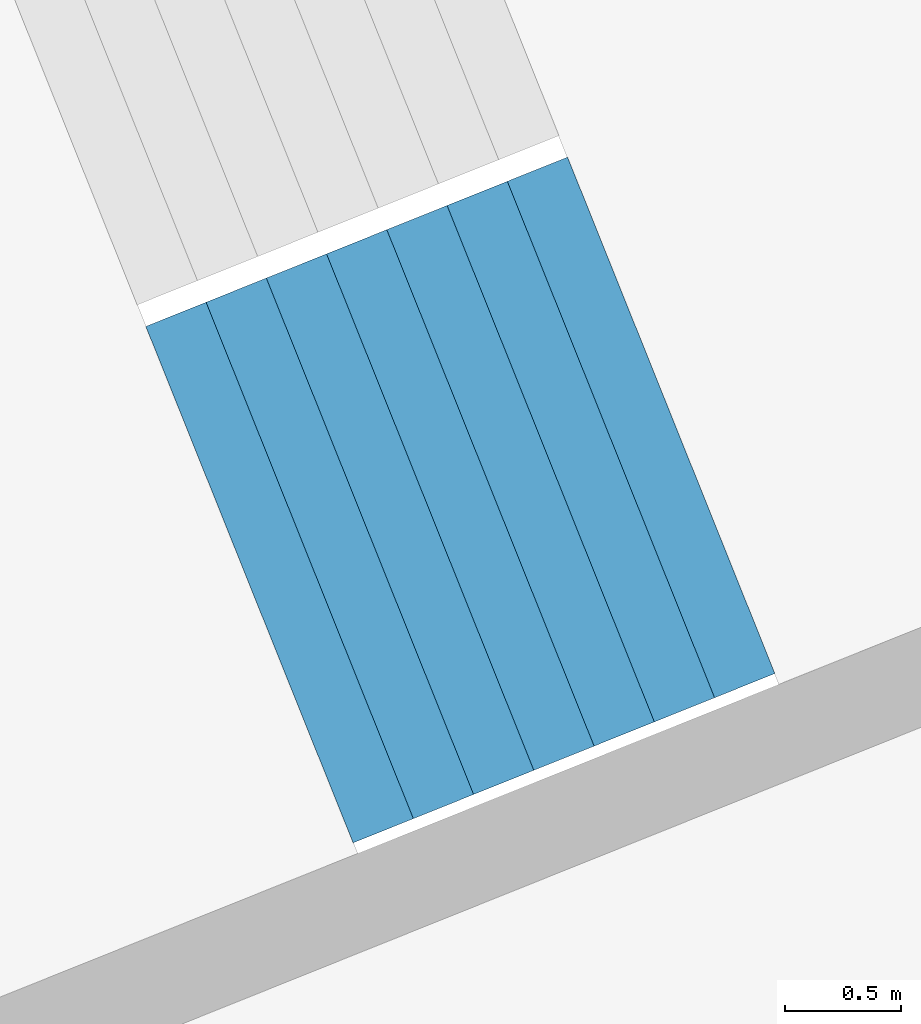
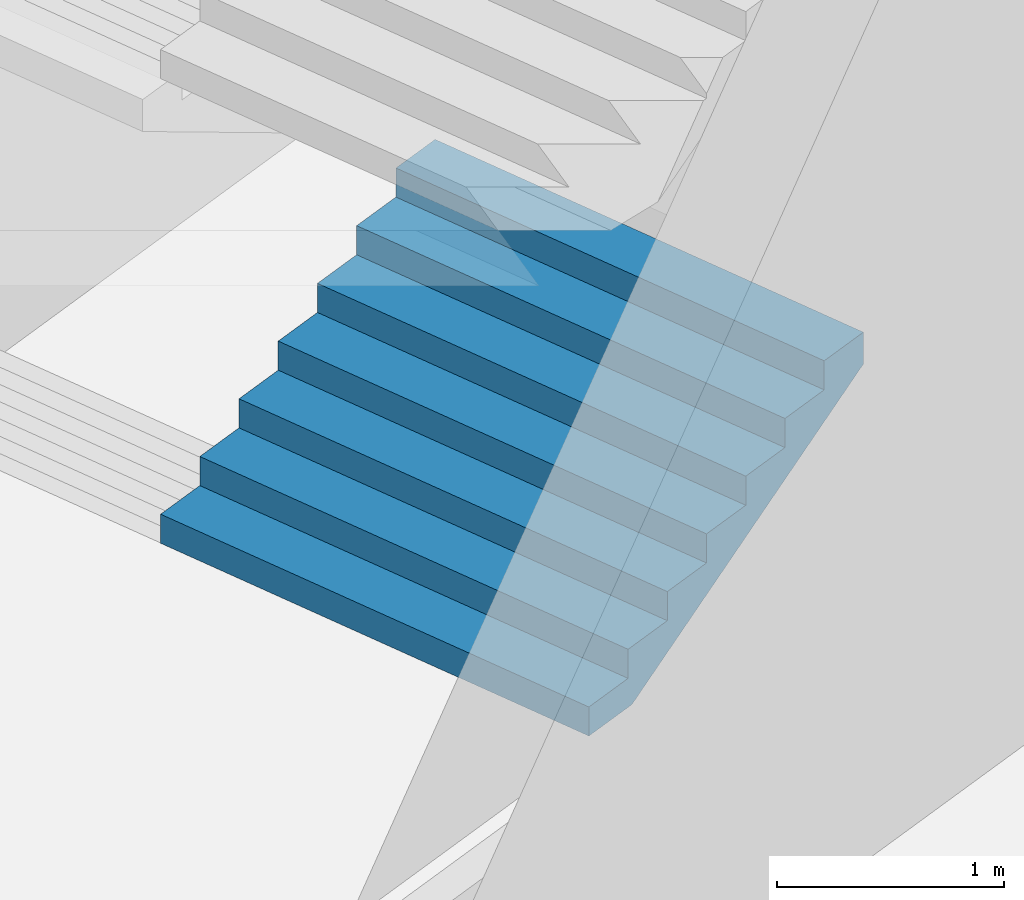
# One storey, part 19 of 73: 1 stair flight, 1 element without a shape of its own.
"""IFC4 building model written with IfcOpenShell, lengths in metres."""

import ifcopenshell
import ifcopenshell.guid

model = None  # the IFC model being written
_history = None  # IfcOwnerHistory: only IFC2X3 demands one
_inside = {}  # id of a spatial element -> (the spatial element, [elements in it])
_under = {}  # id of a project, library or spatial element -> (it, [spatial elements below it])
_declared = {}  # id of a project -> (the project, [libraries it declares])
_typed = {}  # id of a type object -> (the type object, [elements of that type])
_made_of = {}  # id of a material, layer set ... -> (it, [elements and type objects made of it])


def new_model(schema):
    """Start an empty IFC model of exactly this schema.

    Asked for "IFC4X3", IfcOpenShell would pick the latest addendum, in which some entities
    have other attributes; the version numbers below select the first issue.
    IFC2X3 requires an IfcOwnerHistory on every rooted entity: one is made here for all.
    """
    global model, _history
    if schema == "IFC4X3":
        model = ifcopenshell.file(schema_version=(4, 3, 0, 0))
    else:
        model = ifcopenshell.file(schema=schema)
    _inside.clear()
    _under.clear()
    _declared.clear()
    _typed.clear()
    _made_of.clear()
    _history = None
    if model.schema == "IFC2X3":
        org = make("IfcOrganization", Name="unknown")
        user = make(
            "IfcPersonAndOrganization",
            ThePerson=make("IfcPerson", FamilyName="unknown"),
            TheOrganization=org,
        )
        app = make(
            "IfcApplication",
            ApplicationDeveloper=org,
            Version="unknown",
            ApplicationFullName="unknown",
            ApplicationIdentifier="unknown",
        )
        _history = make(
            "IfcOwnerHistory",
            OwningUser=user,
            OwningApplication=app,
            ChangeAction="ADDED",
            CreationDate=0,
        )
    return model


def make(cls, **values):
    """One entity of the class cls with the attributes given. An attribute that is None is left unset."""
    return model.create_entity(
        cls, **{name: value for name, value in values.items() if value is not None}
    )


def rooted(cls, **values):
    """An entity with a GlobalId (a new one), such as an element, a storey or a relation."""
    return make(cls, GlobalId=ifcopenshell.guid.new(), OwnerHistory=_history, **values)


def si_unit(unit_type, name, prefix=None):
    """IfcSIUnit, for example si_unit("LENGTHUNIT", "METRE", prefix="MILLI")."""
    return make("IfcSIUnit", UnitType=unit_type, Prefix=prefix, Name=name)


def assignment(units):
    """IfcUnitAssignment: the units of a project."""
    return None if units is None else make("IfcUnitAssignment", Units=units)


def point(xyz):
    """IfcCartesianPoint."""
    return None if xyz is None else make("IfcCartesianPoint", Coordinates=xyz)


def direction(xyz):
    """IfcDirection."""
    return None if xyz is None else make("IfcDirection", DirectionRatios=xyz)


def frame(location, z_axis=None, x_axis=None):
    """IfcAxis2Placement3D, a coordinate frame: its origin and axes. An axis left out is left unset."""
    return make(
        "IfcAxis2Placement3D",
        Location=point(location),
        Axis=direction(z_axis),
        RefDirection=direction(x_axis),
    )


def origin():
    """The frame at (0, 0, 0) with its axes left unset."""
    return frame((0.0, 0.0, 0.0))


def place(relative_to, where):
    """IfcLocalPlacement: puts the frame where relative to a parent placement (None: the world)."""
    return make(
        "IfcLocalPlacement", PlacementRelTo=relative_to, RelativePlacement=where
    )


def context(
    kind, dimensions, precision=None, world=None, true_north=None, identifier=None
):
    """IfcGeometricRepresentationContext, for example the 3D "Model" context."""
    return make(
        "IfcGeometricRepresentationContext",
        ContextIdentifier=identifier,
        ContextType=kind,
        CoordinateSpaceDimension=dimensions,
        Precision=precision,
        WorldCoordinateSystem=world,
        TrueNorth=true_north,
    )


def subcontext(parent, identifier, kind, view, scale=None):
    """IfcGeometricRepresentationSubContext, for example "Body" below "Model"."""
    return make(
        "IfcGeometricRepresentationSubContext",
        ContextIdentifier=identifier,
        ContextType=kind,
        ParentContext=parent,
        TargetScale=scale,
        TargetView=view,
    )


def project(units=None, contexts=None):
    """IfcProject with its units and contexts."""
    return rooted(
        "IfcProject",
        Name="project",
        RepresentationContexts=contexts,
        UnitsInContext=assignment(units),
    )


def spatial(cls, under=None, at=None, **own):
    """A site, building, storey or space (cls), placed at a placement, below another one or the project."""
    s = rooted(cls, ObjectPlacement=at, **own)
    if under is not None:
        _under.setdefault(under.id(), (under, []))[1].append(s)
    return s


def point_list(points):
    """IfcCartesianPointList2D or 3D."""
    cls = (
        "IfcCartesianPointList2D" if len(points[0]) == 2 else "IfcCartesianPointList3D"
    )
    return make(cls, CoordList=points)


def triangles(points, corners, closed=None, point_numbers=None):
    """IfcTriangulatedFaceSet: each triangle names its three corners, points numbered from 1."""
    return make(
        "IfcTriangulatedFaceSet",
        Coordinates=point_list(points),
        Closed=closed,
        CoordIndex=corners,
        PnIndex=point_numbers,
    )


def shape(context_of_items, identifier, shape_type, items):
    """IfcShapeRepresentation: the items that make up one representation, for example the "Body"."""
    return make(
        "IfcShapeRepresentation",
        ContextOfItems=context_of_items,
        RepresentationIdentifier=identifier,
        RepresentationType=shape_type,
        Items=items,
    )


def material(Name=None, Category=None):
    """IfcMaterial."""
    return make("IfcMaterial", Name=Name, Category=Category)


def made_of(thing, what):
    """Note that an element or type object is made of a material, layer set ...; save() writes the relation."""
    if what is not None:
        _made_of.setdefault(what.id(), (what, []))[1].append(thing)
    return thing


def type_object(cls, material=None, **own):
    """A type object (cls), such as IfcWallType, which elements share."""
    return made_of(rooted(cls, **own), material)


def element(
    cls,
    number,
    at=None,
    inside=None,
    cuts=None,
    type_object=None,
    material=None,
    context=None,
    identifier="Body",
    shape_type=None,
    held_by="IfcProductDefinitionShape",
    body=None,
    shapes=None,
    **own,
):
    """One element of the class cls, such as IfcWall. Its Tag is "e" and its number.

    at: its placement. inside: the storey or other place that contains it. cuts: it is an
    opening in that element (IfcRelVoidsElement). A single representation is given by context,
    identifier, shape_type and body (its items); several are given by shapes. held_by: the class
    of the entity that holds the representations. save() writes the other relations.
    """
    e = rooted(cls, Tag="e%d" % number, ObjectPlacement=at, **own)
    if body is not None:
        shapes = [shape(context, identifier, shape_type, body)]
    if shapes is not None:
        e.Representation = make(held_by, Representations=shapes)
    if inside is not None:
        _inside.setdefault(inside.id(), (inside, []))[1].append(e)
    if cuts is not None:
        rooted(
            "IfcRelVoidsElement", RelatingBuildingElement=cuts, RelatedOpeningElement=e
        )
    if type_object is not None:
        _typed.setdefault(type_object.id(), (type_object, []))[1].append(e)
    return made_of(e, material)


def aggregate(whole, parts):
    """IfcRelAggregates: a whole, such as a stair, and the parts it consists of."""
    return rooted("IfcRelAggregates", RelatingObject=whole, RelatedObjects=parts)


def save(model, path):
    """Write the relations noted so far, then the file.

    IfcRelAggregates (storeys below a building ...), IfcRelContainedInSpatialStructure (elements
    in a storey), IfcRelDefinesByType, IfcRelAssociatesMaterial and IfcRelDeclares: one each for
    every whole, place, type object, material and project.
    """
    for whole, parts in _under.values():
        aggregate(whole, parts)
    for where, things in _inside.values():
        rooted(
            "IfcRelContainedInSpatialStructure",
            RelatedElements=things,
            RelatingStructure=where,
        )
    for kind, things in _typed.values():
        rooted("IfcRelDefinesByType", RelatedObjects=things, RelatingType=kind)
    for what, things in _made_of.values():
        rooted("IfcRelAssociatesMaterial", RelatedObjects=things, RelatingMaterial=what)
    for by, libraries in _declared.values():
        rooted("IfcRelDeclares", RelatingContext=by, RelatedDefinitions=libraries)
    model.write(path)


model = new_model("IFC4")

# Units and contexts
model_context = context("Model", 3, precision=1e-05, world=origin(), true_north=direction((0.0, 1.0)))
body_context = subcontext(model_context, "Body", "Model", "MODEL_VIEW")
ifc_project = project(units=[si_unit("LENGTHUNIT", "METRE"), si_unit("AREAUNIT", "SQUARE_METRE"), si_unit("VOLUMEUNIT", "CUBIC_METRE"), si_unit("PLANEANGLEUNIT", "RADIAN"), si_unit("MASSUNIT", "GRAM", prefix="KILO")], contexts=[model_context])

# Site, building, storey
site_placement = place(None, origin())
site = spatial("IfcSite", under=ifc_project, at=site_placement, CompositionType="ELEMENT")
building_placement = place(site_placement, origin())
building = spatial("IfcBuilding", under=site, at=building_placement, Name="Lantaw Convention Tower", CompositionType="ELEMENT")
storey_placement = place(building_placement, frame((0.0, 0.0, 27.0)))
storey = spatial("IfcBuildingStorey", under=building, at=storey_placement, Name="L04", CompositionType="ELEMENT", Elevation=27.0)

# Stair, stair flight
ifc_material = material(Name="Concrete C35/45", Category="concrete")
stair_type = type_object("IfcStairType", Name="Exit stair 2400 riser 156.25 in 4 flights", PredefinedType="HALF_TURN_STAIR", material=ifc_material)
stair_placement = place(storey_placement, origin())
stair = element("IfcStair", 1, at=stair_placement, inside=storey, type_object=stair_type, Name="Podium exit stair P11 L04", PredefinedType="HALF_TURN_STAIR")
stair_flight_type = type_object("IfcStairFlightType", Name="Stair flight 2400 riser 156.25", PredefinedType="STRAIGHT", material=ifc_material)
stair_flight_placement = place(storey_placement, frame((-30.9052734375, -13.753662109375, 1.25), z_axis=(0.0, 0.0, 1.0), x_axis=(0.928015168305, 0.372542410198, 0.0)))
stair_flight = element("IfcStairFlight", 2, at=stair_flight_placement, type_object=stair_flight_type, Name="P11 flight 2", NumberOfRisers=8, NumberOfTreads=7, PredefinedType="STRAIGHT", RiserHeight=0.15625, TreadLength=0.28, context=body_context, shape_type="Tessellation", body=[
    triangles([(0.0, 1.199951171875, 0.0), (0.0, 1.199951171875, 0.15625), (0.28, 1.199951171875, 0.0), (0.28, 1.199951171875, 0.15625), (0.28, 1.199951171875, 0.3125), (0.3076200632058044, 1.199951171875, 0.0), (0.3076200632058044, 1.199951171875, 0.3125), (0.56, 1.199951171875, 0.14083701830033238), (0.56, 1.199951171875, 0.3125), (0.56, 1.199951171875, 0.46875), (0.8400000000000001, 1.199951171875, 0.29708701830033235), (0.8400000000000001, 1.199951171875, 0.46875), (0.8400000000000001, 1.199951171875, 0.625), (1.12, 1.199951171875, 0.45333701830033235), (1.12, 1.199951171875, 0.625), (1.12, 1.199951171875, 0.78125), (1.4000000000000001, 1.199951171875, 0.6095870183003324), (1.4000000000000001, 1.199951171875, 0.78125), (1.4000000000000001, 1.199951171875, 0.9375), (1.6800000000000002, 1.199951171875, 0.7658370183003324), (1.6800000000000002, 1.199951171875, 0.9375), (1.6800000000000002, 1.199951171875, 1.09375), (1.9600000000000002, 1.199951171875, 0.9220870183003324), (1.9600000000000002, 1.199951171875, 1.09375), (0.0, -1.199951171875, 0.0), (0.0, -1.199951171875, 0.15625), (0.28, -1.199951171875, 0.0), (0.28, -1.199951171875, 0.15625), (0.28, -1.199951171875, 0.3125), (0.3076200632058044, -1.199951171875, 0.0), (0.3076200632058044, -1.199951171875, 0.3125), (0.56, -1.199951171875, 0.14083701830033238), (0.56, -1.199951171875, 0.3125), (0.56, -1.199951171875, 0.46875), (0.8400000000000001, -1.199951171875, 0.29708701830033235), (0.8400000000000001, -1.199951171875, 0.46875), (0.8400000000000001, -1.199951171875, 0.625), (1.12, -1.199951171875, 0.45333701830033235), (1.12, -1.199951171875, 0.625), (1.12, -1.199951171875, 0.78125), (1.4000000000000001, -1.199951171875, 0.6095870183003324), (1.4000000000000001, -1.199951171875, 0.78125), (1.4000000000000001, -1.199951171875, 0.9375), (1.6800000000000002, -1.199951171875, 0.7658370183003324), (1.6800000000000002, -1.199951171875, 0.9375), (1.6800000000000002, -1.199951171875, 1.09375), (1.9600000000000002, -1.199951171875, 0.9220870183003324), (1.9600000000000002, -1.199951171875, 1.09375), (0.0, 0.239990234375, 0.15625), (0.0, 0.239990234375, 0.0), (0.0, 0.1919921875, 0.15625), (0.0, 0.1919921875, 0.0), (0.0, 0.143994140625, 0.15625), (0.0, 0.143994140625, 0.0), (0.0, 0.09599609375, 0.15625), (0.0, 0.09599609375, 0.0), (0.0, 0.047998046875, 0.15625), (0.0, 0.047998046875, 0.0), (0.0, 0.0, 0.15625), (0.0, 0.0, 0.0), (0.0, -0.047998046875, 0.15625), (0.0, -0.047998046875, 0.0), (0.0, -0.09599609375, 0.15625), (0.0, -0.09599609375, 0.0), (0.0, -0.143994140625, 0.15625), (0.0, -0.143994140625, 0.0), (0.0, -0.1919921875, 0.15625), (0.0, -0.1919921875, 0.0), (0.0, -0.239990234375, 0.15625), (0.0, -0.239990234375, 0.0), (0.28, 0.239990234375, 0.3125), (0.28, 0.239990234375, 0.15625), (0.28, 0.1919921875, 0.3125), (0.28, 0.1919921875, 0.15625), (0.28, 0.143994140625, 0.3125), (0.28, 0.143994140625, 0.15625), (0.28, 0.09599609375, 0.3125), (0.28, 0.09599609375, 0.15625), (0.28, 0.047998046875, 0.3125), (0.28, 0.047998046875, 0.15625), (0.28, 0.0, 0.3125), (0.28, 0.0, 0.15625), (0.28, -0.047998046875, 0.3125), (0.28, -0.047998046875, 0.15625), (0.28, -0.09599609375, 0.3125), (0.28, -0.09599609375, 0.15625), (0.28, -0.143994140625, 0.3125), (0.28, -0.143994140625, 0.15625), (0.28, -0.1919921875, 0.3125), (0.28, -0.1919921875, 0.15625), (0.28, -0.239990234375, 0.3125), (0.28, -0.239990234375, 0.15625), (0.56, 0.239990234375, 0.46875), (0.56, 0.239990234375, 0.3125), (0.56, 0.1919921875, 0.46875), (0.56, 0.1919921875, 0.3125), (0.56, 0.143994140625, 0.46875), (0.56, 0.143994140625, 0.3125), (0.56, 0.09599609375, 0.46875), (0.56, 0.09599609375, 0.3125), (0.56, 0.047998046875, 0.46875), (0.56, 0.047998046875, 0.3125), (0.56, 0.0, 0.46875), (0.56, 0.0, 0.3125), (0.56, -0.047998046875, 0.46875), (0.56, -0.047998046875, 0.3125), (0.56, -0.09599609375, 0.46875), (0.56, -0.09599609375, 0.3125), (0.56, -0.143994140625, 0.46875), (0.56, -0.143994140625, 0.3125), (0.56, -0.1919921875, 0.46875), (0.56, -0.1919921875, 0.3125), (0.56, -0.239990234375, 0.46875), (0.56, -0.239990234375, 0.3125), (0.8400000000000001, 0.239990234375, 0.625), (0.8400000000000001, 0.239990234375, 0.46875), (0.8400000000000001, 0.1919921875, 0.625), (0.8400000000000001, 0.1919921875, 0.46875), (0.8400000000000001, 0.143994140625, 0.625), (0.8400000000000001, 0.143994140625, 0.46875), (0.8400000000000001, 0.09599609375, 0.625), (0.8400000000000001, 0.09599609375, 0.46875), (0.8400000000000001, 0.047998046875, 0.625), (0.8400000000000001, 0.047998046875, 0.46875), (0.8400000000000001, 0.0, 0.625), (0.8400000000000001, 0.0, 0.46875), (0.8400000000000001, -0.047998046875, 0.625), (0.8400000000000001, -0.047998046875, 0.46875), (0.8400000000000001, -0.09599609375, 0.625), (0.8400000000000001, -0.09599609375, 0.46875), (0.8400000000000001, -0.143994140625, 0.625), (0.8400000000000001, -0.143994140625, 0.46875), (0.8400000000000001, -0.1919921875, 0.625), (0.8400000000000001, -0.1919921875, 0.46875), (0.8400000000000001, -0.239990234375, 0.625), (0.8400000000000001, -0.239990234375, 0.46875), (1.12, 0.239990234375, 0.78125), (1.12, 0.239990234375, 0.625), (1.12, 0.1919921875, 0.78125), (1.12, 0.1919921875, 0.625), (1.12, 0.143994140625, 0.78125), (1.12, 0.143994140625, 0.625), (1.12, 0.09599609375, 0.78125), (1.12, 0.09599609375, 0.625), (1.12, 0.047998046875, 0.78125), (1.12, 0.047998046875, 0.625), (1.12, 0.0, 0.78125), (1.12, 0.0, 0.625), (1.12, -0.047998046875, 0.78125), (1.12, -0.047998046875, 0.625), (1.12, -0.09599609375, 0.78125), (1.12, -0.09599609375, 0.625), (1.12, -0.143994140625, 0.78125), (1.12, -0.143994140625, 0.625), (1.12, -0.1919921875, 0.78125), (1.12, -0.1919921875, 0.625), (1.12, -0.239990234375, 0.78125), (1.12, -0.239990234375, 0.625), (1.4000000000000001, 0.239990234375, 0.9375), (1.4000000000000001, 0.239990234375, 0.78125), (1.4000000000000001, 0.1919921875, 0.9375), (1.4000000000000001, 0.1919921875, 0.78125), (1.4000000000000001, 0.143994140625, 0.9375), (1.4000000000000001, 0.143994140625, 0.78125), (1.4000000000000001, 0.09599609375, 0.9375), (1.4000000000000001, 0.09599609375, 0.78125), (1.4000000000000001, 0.047998046875, 0.9375), (1.4000000000000001, 0.047998046875, 0.78125), (1.4000000000000001, 0.0, 0.9375), (1.4000000000000001, 0.0, 0.78125), (1.4000000000000001, -0.047998046875, 0.9375), (1.4000000000000001, -0.047998046875, 0.78125), (1.4000000000000001, -0.09599609375, 0.9375), (1.4000000000000001, -0.09599609375, 0.78125), (1.4000000000000001, -0.143994140625, 0.9375), (1.4000000000000001, -0.143994140625, 0.78125), (1.4000000000000001, -0.1919921875, 0.9375), (1.4000000000000001, -0.1919921875, 0.78125), (1.4000000000000001, -0.239990234375, 0.9375), (1.4000000000000001, -0.239990234375, 0.78125), (1.6800000000000002, 0.239990234375, 1.09375), (1.6800000000000002, 0.239990234375, 0.9375), (1.6800000000000002, 0.1919921875, 1.09375), (1.6800000000000002, 0.1919921875, 0.9375), (1.6800000000000002, 0.143994140625, 1.09375), (1.6800000000000002, 0.143994140625, 0.9375), (1.6800000000000002, 0.09599609375, 1.09375), (1.6800000000000002, 0.09599609375, 0.9375), (1.6800000000000002, 0.047998046875, 1.09375), (1.6800000000000002, 0.047998046875, 0.9375), (1.6800000000000002, 0.0, 1.09375), (1.6800000000000002, 0.0, 0.9375), (1.6800000000000002, -0.047998046875, 1.09375), (1.6800000000000002, -0.047998046875, 0.9375), (1.6800000000000002, -0.09599609375, 1.09375), (1.6800000000000002, -0.09599609375, 0.9375), (1.6800000000000002, -0.143994140625, 1.09375), (1.6800000000000002, -0.143994140625, 0.9375), (1.6800000000000002, -0.1919921875, 1.09375), (1.6800000000000002, -0.1919921875, 0.9375), (1.6800000000000002, -0.239990234375, 1.09375), (1.6800000000000002, -0.239990234375, 0.9375), (0.3076200632058044, 0.239990234375, 0.3125), (0.3076200632058044, 0.1919921875, 0.3125), (0.3076200632058044, 0.143994140625, 0.3125), (0.3076200632058044, 0.09599609375, 0.3125), (0.3076200632058044, 0.047998046875, 0.3125), (0.3076200632058044, 0.0, 0.3125), (0.3076200632058044, -0.047998046875, 0.3125), (0.3076200632058044, -0.09599609375, 0.3125), (0.3076200632058044, -0.143994140625, 0.3125), (0.3076200632058044, -0.1919921875, 0.3125), (0.3076200632058044, -0.239990234375, 0.3125), (1.9600000000000002, 0.239990234375, 1.09375), (1.9600000000000002, 0.1919921875, 1.09375), (1.9600000000000002, 0.143994140625, 1.09375), (1.9600000000000002, 0.09599609375, 1.09375), (1.9600000000000002, 0.047998046875, 1.09375), (1.9600000000000002, 0.0, 1.09375), (1.9600000000000002, -0.047998046875, 1.09375), (1.9600000000000002, -0.09599609375, 1.09375), (1.9600000000000002, -0.143994140625, 1.09375), (1.9600000000000002, -0.1919921875, 1.09375), (1.9600000000000002, -0.239990234375, 1.09375), (1.9600000000000002, 0.239990234375, 0.9220870183003324), (1.9600000000000002, 0.1919921875, 0.9220870183003324), (1.9600000000000002, 0.143994140625, 0.9220870183003324), (1.9600000000000002, 0.09599609375, 0.9220870183003324), (1.9600000000000002, 0.047998046875, 0.9220870183003324), (1.9600000000000002, 0.0, 0.9220870183003324), (1.9600000000000002, -0.047998046875, 0.9220870183003324), (1.9600000000000002, -0.09599609375, 0.9220870183003324), (1.9600000000000002, -0.143994140625, 0.9220870183003324), (1.9600000000000002, -0.1919921875, 0.9220870183003324), (1.9600000000000002, -0.239990234375, 0.9220870183003324), (1.6800000000000002, 0.239990234375, 0.7658370183003324), (1.6800000000000002, 0.1919921875, 0.7658370183003324), (1.6800000000000002, 0.143994140625, 0.7658370183003324), (1.6800000000000002, 0.09599609375, 0.7658370183003324), (1.6800000000000002, 0.047998046875, 0.7658370183003324), (1.6800000000000002, 0.0, 0.7658370183003324), (1.6800000000000002, -0.047998046875, 0.7658370183003324), (1.6800000000000002, -0.09599609375, 0.7658370183003324), (1.6800000000000002, -0.143994140625, 0.7658370183003324), (1.6800000000000002, -0.1919921875, 0.7658370183003324), (1.6800000000000002, -0.239990234375, 0.7658370183003324), (1.4000000000000001, 0.239990234375, 0.6095870183003324), (1.4000000000000001, 0.1919921875, 0.6095870183003324), (1.4000000000000001, 0.143994140625, 0.6095870183003324), (1.4000000000000001, 0.09599609375, 0.6095870183003324), (1.4000000000000001, 0.047998046875, 0.6095870183003324), (1.4000000000000001, 0.0, 0.6095870183003324), (1.4000000000000001, -0.047998046875, 0.6095870183003324), (1.4000000000000001, -0.09599609375, 0.6095870183003324), (1.4000000000000001, -0.143994140625, 0.6095870183003324), (1.4000000000000001, -0.1919921875, 0.6095870183003324), (1.4000000000000001, -0.239990234375, 0.6095870183003324), (1.12, 0.239990234375, 0.45333701830033235), (1.12, 0.1919921875, 0.45333701830033235), (1.12, 0.143994140625, 0.45333701830033235), (1.12, 0.09599609375, 0.45333701830033235), (1.12, 0.047998046875, 0.45333701830033235), (1.12, 0.0, 0.45333701830033235), (1.12, -0.047998046875, 0.45333701830033235), (1.12, -0.09599609375, 0.45333701830033235), (1.12, -0.143994140625, 0.45333701830033235), (1.12, -0.1919921875, 0.45333701830033235), (1.12, -0.239990234375, 0.45333701830033235), (0.8400000000000001, 0.239990234375, 0.29708701830033235), (0.8400000000000001, 0.1919921875, 0.29708701830033235), (0.8400000000000001, 0.143994140625, 0.29708701830033235), (0.8400000000000001, 0.09599609375, 0.29708701830033235), (0.8400000000000001, 0.047998046875, 0.29708701830033235), (0.8400000000000001, 0.0, 0.29708701830033235), (0.8400000000000001, -0.047998046875, 0.29708701830033235), (0.8400000000000001, -0.09599609375, 0.29708701830033235), (0.8400000000000001, -0.143994140625, 0.29708701830033235), (0.8400000000000001, -0.1919921875, 0.29708701830033235), (0.8400000000000001, -0.239990234375, 0.29708701830033235), (0.56, 0.239990234375, 0.14083701830033238), (0.56, 0.1919921875, 0.14083701830033238), (0.56, 0.143994140625, 0.14083701830033238), (0.56, 0.09599609375, 0.14083701830033238), (0.56, 0.047998046875, 0.14083701830033238), (0.56, 0.0, 0.14083701830033238), (0.56, -0.047998046875, 0.14083701830033238), (0.56, -0.09599609375, 0.14083701830033238), (0.56, -0.143994140625, 0.14083701830033238), (0.56, -0.1919921875, 0.14083701830033238), (0.56, -0.239990234375, 0.14083701830033238), (0.3076200632058044, 0.239990234375, 0.0), (0.3076200632058044, 0.1919921875, 0.0), (0.3076200632058044, 0.143994140625, 0.0), (0.3076200632058044, 0.09599609375, 0.0), (0.3076200632058044, 0.047998046875, 0.0), (0.3076200632058044, 0.0, 0.0), (0.3076200632058044, -0.047998046875, 0.0), (0.3076200632058044, -0.09599609375, 0.0), (0.3076200632058044, -0.143994140625, 0.0), (0.3076200632058044, -0.1919921875, 0.0), (0.3076200632058044, -0.239990234375, 0.0), (0.28, 0.239990234375, 0.0), (0.28, 0.1919921875, 0.0), (0.28, 0.143994140625, 0.0), (0.28, 0.09599609375, 0.0), (0.28, 0.047998046875, 0.0), (0.28, 0.0, 0.0), (0.28, -0.047998046875, 0.0), (0.28, -0.09599609375, 0.0), (0.28, -0.143994140625, 0.0), (0.28, -0.1919921875, 0.0), (0.28, -0.239990234375, 0.0)], [[1, 4, 3], [1, 2, 4], [3, 4, 6], [4, 7, 6], [4, 5, 7], [6, 9, 8], [6, 7, 9], [8, 9, 11], [9, 12, 11], [9, 10, 12], [11, 12, 14], [12, 15, 14], [12, 13, 15], [14, 15, 17], [15, 18, 17], [15, 16, 18], [17, 18, 20], [18, 21, 20], [18, 19, 21], [20, 21, 23], [21, 24, 23], [21, 22, 24], [25, 27, 28], [25, 28, 26], [27, 30, 28], [28, 30, 31], [28, 31, 29], [30, 32, 33], [30, 33, 31], [32, 35, 33], [33, 35, 36], [33, 36, 34], [35, 38, 36], [36, 38, 39], [36, 39, 37], [38, 41, 39], [39, 41, 42], [39, 42, 40], [41, 44, 42], [42, 44, 45], [42, 45, 43], [44, 47, 45], [45, 47, 48], [45, 48, 46], [1, 49, 2], [1, 50, 49], [50, 51, 49], [50, 52, 51], [52, 53, 51], [52, 54, 53], [54, 55, 53], [54, 56, 55], [56, 57, 55], [56, 58, 57], [58, 59, 57], [58, 60, 59], [60, 61, 59], [60, 62, 61], [62, 63, 61], [62, 64, 63], [64, 65, 63], [64, 66, 65], [66, 67, 65], [66, 68, 67], [68, 69, 67], [68, 70, 69], [70, 26, 69], [70, 25, 26], [4, 71, 5], [4, 72, 71], [72, 73, 71], [72, 74, 73], [74, 75, 73], [74, 76, 75], [76, 77, 75], [76, 78, 77], [78, 79, 77], [78, 80, 79], [80, 81, 79], [80, 82, 81], [82, 83, 81], [82, 84, 83], [84, 85, 83], [84, 86, 85], [86, 87, 85], [86, 88, 87], [88, 89, 87], [88, 90, 89], [90, 91, 89], [90, 92, 91], [92, 29, 91], [92, 28, 29], [9, 93, 10], [9, 94, 93], [94, 95, 93], [94, 96, 95], [96, 97, 95], [96, 98, 97], [98, 99, 97], [98, 100, 99], [100, 101, 99], [100, 102, 101], [102, 103, 101], [102, 104, 103], [104, 105, 103], [104, 106, 105], [106, 107, 105], [106, 108, 107], [108, 109, 107], [108, 110, 109], [110, 111, 109], [110, 112, 111], [112, 113, 111], [112, 114, 113], [114, 34, 113], [114, 33, 34], [12, 115, 13], [12, 116, 115], [116, 117, 115], [116, 118, 117], [118, 119, 117], [118, 120, 119], [120, 121, 119], [120, 122, 121], [122, 123, 121], [122, 124, 123], [124, 125, 123], [124, 126, 125], [126, 127, 125], [126, 128, 127], [128, 129, 127], [128, 130, 129], [130, 131, 129], [130, 132, 131], [132, 133, 131], [132, 134, 133], [134, 135, 133], [134, 136, 135], [136, 37, 135], [136, 36, 37], [15, 137, 16], [15, 138, 137], [138, 139, 137], [138, 140, 139], [140, 141, 139], [140, 142, 141], [142, 143, 141], [142, 144, 143], [144, 145, 143], [144, 146, 145], [146, 147, 145], [146, 148, 147], [148, 149, 147], [148, 150, 149], [150, 151, 149], [150, 152, 151], [152, 153, 151], [152, 154, 153], [154, 155, 153], [154, 156, 155], [156, 157, 155], [156, 158, 157], [158, 40, 157], [158, 39, 40], [18, 159, 19], [18, 160, 159], [160, 161, 159], [160, 162, 161], [162, 163, 161], [162, 164, 163], [164, 165, 163], [164, 166, 165], [166, 167, 165], [166, 168, 167], [168, 169, 167], [168, 170, 169], [170, 171, 169], [170, 172, 171], [172, 173, 171], [172, 174, 173], [174, 175, 173], [174, 176, 175], [176, 177, 175], [176, 178, 177], [178, 179, 177], [178, 180, 179], [180, 43, 179], [180, 42, 43], [21, 181, 22], [21, 182, 181], [182, 183, 181], [182, 184, 183], [184, 185, 183], [184, 186, 185], [186, 187, 185], [186, 188, 187], [188, 189, 187], [188, 190, 189], [190, 191, 189], [190, 192, 191], [192, 193, 191], [192, 194, 193], [194, 195, 193], [194, 196, 195], [196, 197, 195], [196, 198, 197], [198, 199, 197], [198, 200, 199], [200, 201, 199], [200, 202, 201], [202, 46, 201], [202, 45, 46], [2, 72, 4], [2, 49, 72], [49, 74, 72], [49, 51, 74], [51, 76, 74], [51, 53, 76], [53, 78, 76], [53, 55, 78], [55, 80, 78], [55, 57, 80], [57, 82, 80], [57, 59, 82], [59, 84, 82], [59, 61, 84], [61, 86, 84], [61, 63, 86], [63, 88, 86], [63, 65, 88], [65, 90, 88], [65, 67, 90], [67, 92, 90], [67, 69, 92], [69, 28, 92], [69, 26, 28], [5, 203, 7], [5, 71, 203], [71, 204, 203], [71, 73, 204], [73, 205, 204], [73, 75, 205], [75, 206, 205], [75, 77, 206], [77, 207, 206], [77, 79, 207], [79, 208, 207], [79, 81, 208], [81, 209, 208], [81, 83, 209], [83, 210, 209], [83, 85, 210], [85, 211, 210], [85, 87, 211], [87, 212, 211], [87, 89, 212], [89, 213, 212], [89, 91, 213], [91, 31, 213], [91, 29, 31], [7, 94, 9], [7, 203, 94], [203, 96, 94], [203, 204, 96], [204, 98, 96], [204, 205, 98], [205, 100, 98], [205, 206, 100], [206, 102, 100], [206, 207, 102], [207, 104, 102], [207, 208, 104], [208, 106, 104], [208, 209, 106], [209, 108, 106], [209, 210, 108], [210, 110, 108], [210, 211, 110], [211, 112, 110], [211, 212, 112], [212, 114, 112], [212, 213, 114], [213, 33, 114], [213, 31, 33], [10, 116, 12], [10, 93, 116], [93, 118, 116], [93, 95, 118], [95, 120, 118], [95, 97, 120], [97, 122, 120], [97, 99, 122], [99, 124, 122], [99, 101, 124], [101, 126, 124], [101, 103, 126], [103, 128, 126], [103, 105, 128], [105, 130, 128], [105, 107, 130], [107, 132, 130], [107, 109, 132], [109, 134, 132], [109, 111, 134], [111, 136, 134], [111, 113, 136], [113, 36, 136], [113, 34, 36], [13, 138, 15], [13, 115, 138], [115, 140, 138], [115, 117, 140], [117, 142, 140], [117, 119, 142], [119, 144, 142], [119, 121, 144], [121, 146, 144], [121, 123, 146], [123, 148, 146], [123, 125, 148], [125, 150, 148], [125, 127, 150], [127, 152, 150], [127, 129, 152], [129, 154, 152], [129, 131, 154], [131, 156, 154], [131, 133, 156], [133, 158, 156], [133, 135, 158], [135, 39, 158], [135, 37, 39], [16, 160, 18], [16, 137, 160], [137, 162, 160], [137, 139, 162], [139, 164, 162], [139, 141, 164], [141, 166, 164], [141, 143, 166], [143, 168, 166], [143, 145, 168], [145, 170, 168], [145, 147, 170], [147, 172, 170], [147, 149, 172], [149, 174, 172], [149, 151, 174], [151, 176, 174], [151, 153, 176], [153, 178, 176], [153, 155, 178], [155, 180, 178], [155, 157, 180], [157, 42, 180], [157, 40, 42], [19, 182, 21], [19, 159, 182], [159, 184, 182], [159, 161, 184], [161, 186, 184], [161, 163, 186], [163, 188, 186], [163, 165, 188], [165, 190, 188], [165, 167, 190], [167, 192, 190], [167, 169, 192], [169, 194, 192], [169, 171, 194], [171, 196, 194], [171, 173, 196], [173, 198, 196], [173, 175, 198], [175, 200, 198], [175, 177, 200], [177, 202, 200], [177, 179, 202], [179, 45, 202], [179, 43, 45], [22, 214, 24], [22, 181, 214], [181, 215, 214], [181, 183, 215], [183, 216, 215], [183, 185, 216], [185, 217, 216], [185, 187, 217], [187, 218, 217], [187, 189, 218], [189, 219, 218], [189, 191, 219], [191, 220, 219], [191, 193, 220], [193, 221, 220], [193, 195, 221], [195, 222, 221], [195, 197, 222], [197, 223, 222], [197, 199, 223], [199, 224, 223], [199, 201, 224], [201, 48, 224], [201, 46, 48], [24, 225, 23], [24, 214, 225], [214, 226, 225], [214, 215, 226], [215, 227, 226], [215, 216, 227], [216, 228, 227], [216, 217, 228], [217, 229, 228], [217, 218, 229], [218, 230, 229], [218, 219, 230], [219, 231, 230], [219, 220, 231], [220, 232, 231], [220, 221, 232], [221, 233, 232], [221, 222, 233], [222, 234, 233], [222, 223, 234], [223, 235, 234], [223, 224, 235], [224, 47, 235], [224, 48, 47], [23, 236, 20], [23, 225, 236], [225, 237, 236], [225, 226, 237], [226, 238, 237], [226, 227, 238], [227, 239, 238], [227, 228, 239], [228, 240, 239], [228, 229, 240], [229, 241, 240], [229, 230, 241], [230, 242, 241], [230, 231, 242], [231, 243, 242], [231, 232, 243], [232, 244, 243], [232, 233, 244], [233, 245, 244], [233, 234, 245], [234, 246, 245], [234, 235, 246], [235, 44, 246], [235, 47, 44], [20, 247, 17], [20, 236, 247], [236, 248, 247], [236, 237, 248], [237, 249, 248], [237, 238, 249], [238, 250, 249], [238, 239, 250], [239, 251, 250], [239, 240, 251], [240, 252, 251], [240, 241, 252], [241, 253, 252], [241, 242, 253], [242, 254, 253], [242, 243, 254], [243, 255, 254], [243, 244, 255], [244, 256, 255], [244, 245, 256], [245, 257, 256], [245, 246, 257], [246, 41, 257], [246, 44, 41], [17, 258, 14], [17, 247, 258], [247, 259, 258], [247, 248, 259], [248, 260, 259], [248, 249, 260], [249, 261, 260], [249, 250, 261], [250, 262, 261], [250, 251, 262], [251, 263, 262], [251, 252, 263], [252, 264, 263], [252, 253, 264], [253, 265, 264], [253, 254, 265], [254, 266, 265], [254, 255, 266], [255, 267, 266], [255, 256, 267], [256, 268, 267], [256, 257, 268], [257, 38, 268], [257, 41, 38], [14, 269, 11], [14, 258, 269], [258, 270, 269], [258, 259, 270], [259, 271, 270], [259, 260, 271], [260, 272, 271], [260, 261, 272], [261, 273, 272], [261, 262, 273], [262, 274, 273], [262, 263, 274], [263, 275, 274], [263, 264, 275], [264, 276, 275], [264, 265, 276], [265, 277, 276], [265, 266, 277], [266, 278, 277], [266, 267, 278], [267, 279, 278], [267, 268, 279], [268, 35, 279], [268, 38, 35], [11, 280, 8], [11, 269, 280], [269, 281, 280], [269, 270, 281], [270, 282, 281], [270, 271, 282], [271, 283, 282], [271, 272, 283], [272, 284, 283], [272, 273, 284], [273, 285, 284], [273, 274, 285], [274, 286, 285], [274, 275, 286], [275, 287, 286], [275, 276, 287], [276, 288, 287], [276, 277, 288], [277, 289, 288], [277, 278, 289], [278, 290, 289], [278, 279, 290], [279, 32, 290], [279, 35, 32], [8, 291, 6], [8, 280, 291], [280, 292, 291], [280, 281, 292], [281, 293, 292], [281, 282, 293], [282, 294, 293], [282, 283, 294], [283, 295, 294], [283, 284, 295], [284, 296, 295], [284, 285, 296], [285, 297, 296], [285, 286, 297], [286, 298, 297], [286, 287, 298], [287, 299, 298], [287, 288, 299], [288, 300, 299], [288, 289, 300], [289, 301, 300], [289, 290, 301], [290, 30, 301], [290, 32, 30], [6, 302, 3], [6, 291, 302], [291, 303, 302], [291, 292, 303], [292, 304, 303], [292, 293, 304], [293, 305, 304], [293, 294, 305], [294, 306, 305], [294, 295, 306], [295, 307, 306], [295, 296, 307], [296, 308, 307], [296, 297, 308], [297, 309, 308], [297, 298, 309], [298, 310, 309], [298, 299, 310], [299, 311, 310], [299, 300, 311], [300, 312, 311], [300, 301, 312], [301, 27, 312], [301, 30, 27], [3, 50, 1], [3, 302, 50], [302, 52, 50], [302, 303, 52], [303, 54, 52], [303, 304, 54], [304, 56, 54], [304, 305, 56], [305, 58, 56], [305, 306, 58], [306, 60, 58], [306, 307, 60], [307, 62, 60], [307, 308, 62], [308, 64, 62], [308, 309, 64], [309, 66, 64], [309, 310, 66], [310, 68, 66], [310, 311, 68], [311, 70, 68], [311, 312, 70], [312, 25, 70], [312, 27, 25]], closed=True),
])
aggregate(stair, [stair_flight])

save(model, "model.ifc")
